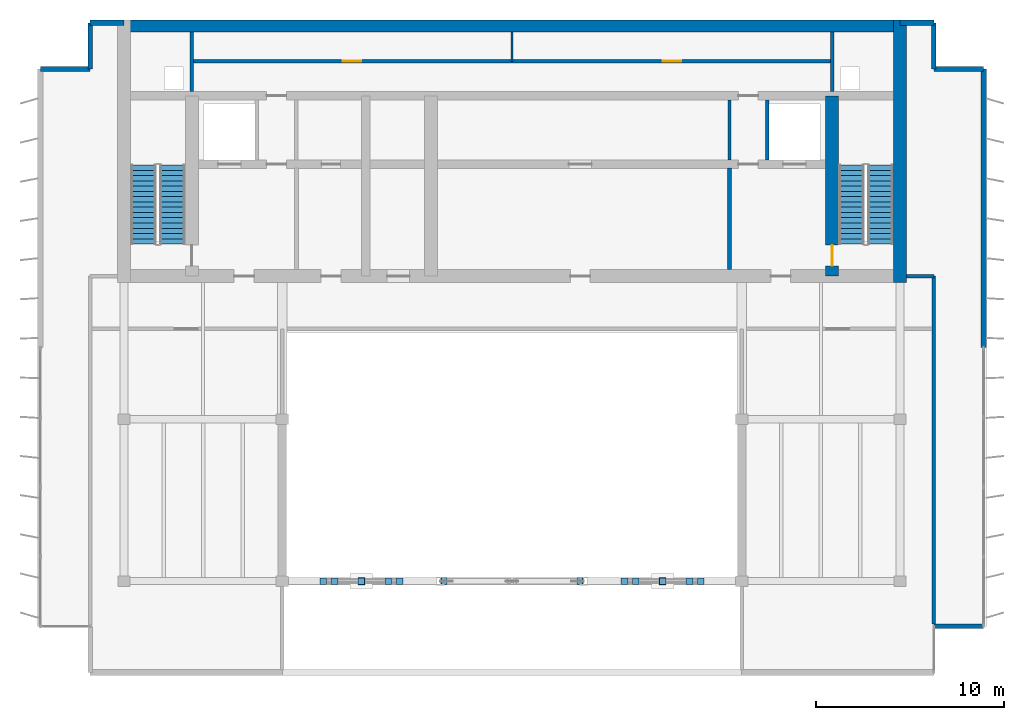
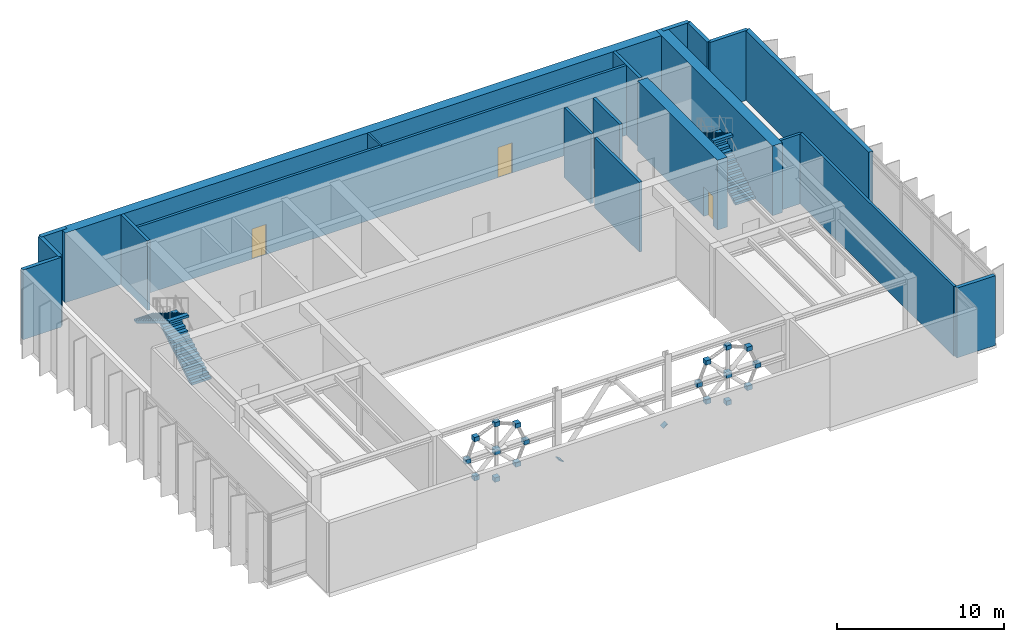
# One storey, part 7 of 10: 20 discrete accessories, 20 walls, 4 stair flights, 3 doors, 3 openings, 2 elements without a shape of their own.
"""IFC4 building model written with IfcOpenShell, lengths in metres."""

from ifc_helpers import new_model, si_unit, direction, frame, frame_2d, origin, origin_2d, place, context, subcontext, project, spatial, polyline, rectangle, outline, extrude, material, layer, layer_set, type_object, element, fill, aggregate, save


model = new_model("IFC4")

# Units and contexts
model_context = context("Model", 3, precision=1e-05, world=origin(), true_north=direction((0.0, 1.0)))
body_context = subcontext(model_context, "Body", "Model", "MODEL_VIEW")
ifc_project = project(units=[si_unit("LENGTHUNIT", "METRE"), si_unit("AREAUNIT", "SQUARE_METRE"), si_unit("VOLUMEUNIT", "CUBIC_METRE"), si_unit("PLANEANGLEUNIT", "RADIAN"), si_unit("MASSUNIT", "GRAM", prefix="KILO")], contexts=[model_context])

# Site, building, storey
site_placement = place(None, origin())
site = spatial("IfcSite", under=ifc_project, at=site_placement, CompositionType="ELEMENT")
building_placement = place(site_placement, origin())
building = spatial("IfcBuilding", under=site, at=building_placement, Name="Caelmar Bay Residences", CompositionType="ELEMENT")
storey_placement = place(building_placement, frame((0.0, 0.0, 284.800048828125)))
storey = spatial("IfcBuildingStorey", under=building, at=storey_placement, Name="L79", CompositionType="ELEMENT", Elevation=284.800048828125)

# Wall
ifc_material_1 = material(Name="Concrete f'c 55 MPa (8,000 psi)", Category="concrete")
ifc_layer_1 = layer(ifc_material_1, 0.699951171875)
ifc_layer_set_1 = layer_set([ifc_layer_1], Name="Concrete f'c 55 MPa (8,000 psi)")
wall_type_1 = type_object("IfcWallType", Name="SW-COR-700", PredefinedType="SHEAR", material=ifc_layer_set_1)
wall_1_placement = place(storey_placement, frame((59.5, 36.64990234375, 0.0), z_axis=(0.0, 0.0, 1.0), x_axis=(0.0, 1.0, 0.0)))
element("IfcWall", 1, at=wall_1_placement, inside=storey, type_object=wall_type_1, Name="L79 Rear Core East Shear Wall", PredefinedType="SHEAR", context=body_context, shape_type="SweptSolid", body=[
    extrude(rectangle(XDim=13.9501953125, YDim=0.699951171875, at=frame_2d((6.97509765625, 0.0))), origin(), (0.0, 0.0, 1.0), 5.099853515625),
])

# Wall, opening, door
wall_2_placement = place(storey_placement, frame((55.89990234375, 37.0, 0.0), z_axis=(0.0, 0.0, 1.0), x_axis=(0.0, 1.0, 0.0)))
wall_2 = element("IfcWall", 2, at=wall_2_placement, inside=storey, type_object=wall_type_1, Name="L79 Core Structural Web Wall ST2W", PredefinedType="SHEAR", context=body_context, shape_type="SweptSolid", body=[
    extrude(rectangle(XDim=9.574951171875, YDim=0.699951171875, at=frame_2d((4.78759765625, 0.0))), origin(), (0.0, 0.0, 1.0), 5.099853515625),
])
opening_1_placement = place(wall_2_placement, frame((0.550048828125, 0.0, 0.0)))
opening_1 = element("IfcOpeningElement", 3, at=opening_1_placement, cuts=wall_2, Name="Opening D-L79-108", PredefinedType="OPENING", context=body_context, shape_type="SweptSolid", body=[
    extrude(rectangle(XDim=1.10009765625, YDim=2.14990234375, at=frame_2d((0.550048828125, 1.074951171875))), frame((0.0, 0.35986328125, 0.0), z_axis=(0.0, -1.0, 0.0), x_axis=(1.0, 0.0, 0.0)), (0.0, 0.0, 1.0), 0.719970703125),
])
ifc_material_2 = material(Name="Fire-rated steel and walnut architectural door assembly", Category="steel")
ifc_layer_2 = layer(ifc_material_2, 0.050048828125)
ifc_layer_set_2 = layer_set([ifc_layer_2], Name="Fire-rated steel and walnut architectural door assembly")
door_type_1 = type_object("IfcDoorType", Name="D-STAIR-1100", OperationType="NOTDEFINED", PredefinedType="DOOR", material=ifc_layer_set_2)
door_1_placement = place(opening_1_placement, origin())
door_1 = element("IfcDoor", 4, at=door_1_placement, inside=storey, type_object=door_type_1, Name="L79 Firefighting Lobby East Door", OperationType="SINGLE_SWING_LEFT", OverallHeight=2.14990234375, OverallWidth=1.10009765625, PredefinedType="DOOR", context=body_context, shape_type="SweptSolid", body=[
    extrude(rectangle(XDim=1.10009765625, YDim=2.14990234375, at=frame_2d((0.550048828125, 1.074951171875))), frame((0.0, 0.02490234375, 0.0), z_axis=(0.0, -1.0, 0.0), x_axis=(1.0, 0.0, 0.0)), (0.0, 0.0, 1.0), 0.050048828125),
])
fill(opening_1, door_1)

# Walls
ifc_layer_3 = layer(ifc_material_1, 0.64990234375)
ifc_layer_set_3 = layer_set([ifc_layer_3], Name="Concrete f'c 55 MPa (8,000 psi)")
wall_type_2 = type_object("IfcWallType", Name="SW-CORN-650", PredefinedType="SHEAR", material=ifc_layer_set_3)
wall_3_placement = place(storey_placement, frame((17.949951171875, 50.27490234375, 0.0), z_axis=(0.0, 0.0, 1.0), x_axis=(1.0, 0.0, 0.0)))
element("IfcWall", 5, at=wall_3_placement, inside=storey, type_object=wall_type_2, Name="L79 Rear Core North Shear Wall", PredefinedType="SHEAR", context=body_context, shape_type="SweptSolid", body=[
    extrude(rectangle(XDim=41.900146484375, YDim=0.64990234375, at=frame_2d((20.9501953125, 0.0))), origin(), (0.0, 0.0, 1.0), 5.099853515625),
])
ifc_material_3 = material(Name="Double-stud acoustic fire-rated gypsum partition 180 mm")
ifc_layer_4 = layer(ifc_material_3, 0.179931640625)
ifc_layer_set_4 = layer_set([ifc_layer_4], Name="Double-stud acoustic fire-rated gypsum partition 180 mm")
wall_type_3 = type_object("IfcWallType", Name="W-COR-200", PredefinedType="PARTITIONING", material=ifc_layer_set_4)
wall_4_placement = place(storey_placement, frame((50.449951171875, 43.169921875, 0.0), z_axis=(0.0, 0.0, 1.0), x_axis=(0.0, 1.0, 0.0)))
element("IfcWall", 6, at=wall_4_placement, inside=storey, type_object=wall_type_3, Name="L79 Partition Wall V010", PredefinedType="PARTITIONING", context=body_context, shape_type="SweptSolid", body=[
    extrude(rectangle(XDim=3.18505859375, YDim=0.179931640625, at=frame_2d((1.592529296875, 0.0))), origin(), (0.0, 0.0, 1.0), 5.099853515625),
])
wall_5_placement = place(storey_placement, frame((61.300048828125, 18.52001953125, 0.0), z_axis=(0.0, 0.0, 1.0), x_axis=(0.0, 1.0, 0.0)))
element("IfcWall", 7, at=wall_5_placement, inside=storey, type_object=wall_type_3, Name="L79 Partition Wall V015", PredefinedType="PARTITIONING", context=body_context, shape_type="SweptSolid", body=[
    extrude(rectangle(XDim=18.47998046875, YDim=0.179931640625, at=frame_2d((9.239990234375, 0.0))), origin(), (0.0, 0.0, 1.0), 5.099853515625),
])
wall_6_placement = place(storey_placement, frame((59.85498046875, 37.0, 0.0), z_axis=(0.0, 0.0, 1.0), x_axis=(1.0, 0.0, 0.0)))
element("IfcWall", 8, at=wall_6_placement, inside=storey, type_object=wall_type_3, Name="L79 Partition Wall H018", PredefinedType="PARTITIONING", context=body_context, shape_type="SweptSolid", body=[
    extrude(rectangle(XDim=1.445068359375, YDim=0.179931640625, at=frame_2d((0.72265625, 0.0))), origin(), (0.0, 0.0, 1.0), 5.099853515625),
])

# Wall, openings, doors
wall_7_placement = place(storey_placement, frame((21.89990234375, 48.39990234375, 0.0), z_axis=(0.0, 0.0, 1.0), x_axis=(1.0, 0.0, 0.0)))
wall_7 = element("IfcWall", 9, at=wall_7_placement, inside=storey, type_object=wall_type_3, Name="L79 Partition Wall H019", PredefinedType="PARTITIONING", context=body_context, shape_type="SweptSolid", body=[
    extrude(rectangle(XDim=34.0, YDim=0.179931640625, at=frame_2d((17.0, 0.0))), origin(), (0.0, 0.0, 1.0), 5.099853515625),
])
opening_2_placement = place(wall_7_placement, frame((8.0, 0.0, 0.0)))
opening_2 = element("IfcOpeningElement", 10, at=opening_2_placement, cuts=wall_7, Name="Opening D-L79-116", PredefinedType="OPENING", context=body_context, shape_type="SweptSolid", body=[
    extrude(rectangle(XDim=1.0, YDim=2.199951171875, at=frame_2d((0.5, 1.10009765625))), frame((0.0, 0.099853515625, 0.0), z_axis=(0.0, -1.0, 0.0), x_axis=(1.0, 0.0, 0.0)), (0.0, 0.0, 1.0), 0.199951171875),
])
opening_3_placement = place(wall_7_placement, frame((25.0, 0.0, 0.0)))
opening_3 = element("IfcOpeningElement", 11, at=opening_3_placement, cuts=wall_7, Name="Opening D-L79-117", PredefinedType="OPENING", context=body_context, shape_type="SweptSolid", body=[
    extrude(rectangle(XDim=1.0, YDim=2.199951171875, at=frame_2d((0.5, 1.10009765625))), frame((0.0, 0.099853515625, 0.0), z_axis=(0.0, -1.0, 0.0), x_axis=(1.0, 0.0, 0.0)), (0.0, 0.0, 1.0), 0.199951171875),
])
ifc_layer_5 = layer(ifc_material_2, 0.050048828125)
ifc_layer_set_5 = layer_set([ifc_layer_5], Name="Fire-rated steel and walnut architectural door assembly")
door_type_2 = type_object("IfcDoorType", Name="D-UNIT-1000", OperationType="NOTDEFINED", PredefinedType="DOOR", material=ifc_layer_set_5)
door_2_placement = place(opening_2_placement, origin())
door_2 = element("IfcDoor", 12, at=door_2_placement, inside=storey, type_object=door_type_2, Name="L79 Building Management Office Door", OperationType="SINGLE_SWING_LEFT", OverallHeight=2.199951171875, OverallWidth=1.0, PredefinedType="DOOR", context=body_context, shape_type="SweptSolid", body=[
    extrude(rectangle(XDim=1.0, YDim=2.199951171875, at=frame_2d((0.5, 1.10009765625))), frame((0.0, 0.02490234375, 0.0), z_axis=(0.0, -1.0, 0.0), x_axis=(1.0, 0.0, 0.0)), (0.0, 0.0, 1.0), 0.050048828125),
])
fill(opening_2, door_2)
door_3_placement = place(opening_3_placement, origin())
door_3 = element("IfcDoor", 13, at=door_3_placement, inside=storey, type_object=door_type_2, Name="L79 Concierge Operations Office Door", OperationType="SINGLE_SWING_RIGHT", OverallHeight=2.199951171875, OverallWidth=1.0, PredefinedType="DOOR", context=body_context, shape_type="SweptSolid", body=[
    extrude(rectangle(XDim=1.0, YDim=2.199951171875, at=frame_2d((0.5, 1.10009765625))), frame((0.0, 0.02490234375, 0.0), z_axis=(0.0, -1.0, 0.0), x_axis=(1.0, 0.0, 0.0)), (0.0, 0.0, 1.0), 0.050048828125),
])
fill(opening_3, door_3)

# Walls
ifc_material_4 = material(Name="Precast concrete f'c 40 MPa (6,000 psi)", Category="concrete")
ifc_layer_6 = layer(ifc_material_4, 0.25)
ifc_layer_set_6 = layer_set([ifc_layer_6], Name="Precast concrete f'c 40 MPa (6,000 psi)")
wall_type_4 = type_object("IfcWallType", Name="W-EXT-250", PredefinedType="ELEMENTEDWALL", material=ifc_layer_set_6)
for number, where, z_axis, x_axis, name in (
    (14, (61.300048828125, 18.39990234375, 0.0), (0.0, 0.0, 1.0), (1.0, 0.0, 0.0), "L79 SE Notch Return Wall"),
    (15, (13.85009765625, 48.0, 0.0), (0.0, 0.0, 1.0), (1.0, 0.0, 0.0), "L79 NNW-H Notch Wall"),
):
    element("IfcWall", number, at=place(storey_placement, frame(where, z_axis=z_axis, x_axis=x_axis)), inside=storey, type_object=wall_type_4, Name=name, PredefinedType="ELEMENTEDWALL", context=body_context, shape_type="SweptSolid", body=[
        extrude(rectangle(XDim=2.64990234375, YDim=0.25, at=frame_2d((1.324951171875, 0.0))), origin(), (0.0, 0.0, 1.0), 5.099853515625),
    ])
for number, where, z_axis, x_axis, name in (
    (16, (16.5, 48.0, 0.0), (0.0, 0.0, 1.0), (0.0, 1.0, 0.0), "L79 NNW-V Notch Wall"),
    (17, (61.300048828125, 50.449951171875, 0.0), (0.0, 0.0, 1.0), (0.0, -1.0, 0.0), "L79 NNE-V Notch Wall"),
):
    element("IfcWall", number, at=place(storey_placement, frame(where, z_axis=z_axis, x_axis=x_axis)), inside=storey, type_object=wall_type_4, Name=name, PredefinedType="ELEMENTEDWALL", context=body_context, shape_type="SweptSolid", body=[
        extrude(rectangle(XDim=2.449951171875, YDim=0.25, at=frame_2d((1.22509765625, 0.0))), origin(), (0.0, 0.0, 1.0), 5.099853515625),
    ])
wall_8_placement = place(storey_placement, frame((61.300048828125, 48.0, 0.0), z_axis=(0.0, 0.0, 1.0), x_axis=(1.0, 0.0, 0.0)))
element("IfcWall", 18, at=wall_8_placement, inside=storey, type_object=wall_type_4, Name="L79 NNE-H Notch Wall", PredefinedType="ELEMENTEDWALL", context=body_context, shape_type="SweptSolid", body=[
    extrude(rectangle(XDim=2.64990234375, YDim=0.25, at=frame_2d((1.324951171875, 0.0))), origin(), (0.0, 0.0, 1.0), 5.099853515625),
])
ifc_layer_7 = layer(ifc_material_4, 0.300048828125)
ifc_layer_set_7 = layer_set([ifc_layer_7], Name="Precast concrete f'c 40 MPa (6,000 psi)")
wall_type_5 = type_object("IfcWallType", Name="W-EXT-300", PredefinedType="STANDARD", material=ifc_layer_set_7)
wall_9_placement = place(storey_placement, frame((63.949951171875, 48.0, 0.0), z_axis=(0.0, 0.0, 1.0), x_axis=(0.0, -1.0, 0.0)))
element("IfcWall", 19, at=wall_9_placement, inside=storey, type_object=wall_type_5, Name="L79 East Rear Exterior Wall", PredefinedType="STANDARD", context=body_context, shape_type="SweptSolid", body=[
    extrude(rectangle(XDim=14.800048828125, YDim=0.300048828125, at=frame_2d((7.39990234375, 0.0))), origin(), (0.0, 0.0, 1.0), 5.099853515625),
])
for number, where, z_axis, x_axis, name in (
    (20, (16.5, 50.449951171875, 0.0), (0.0, 0.0, 1.0), (1.0, 0.0, 0.0), "L79 North-West Wing Exterior Wall"),
    (21, (59.5, 50.449951171875, 0.0), (0.0, 0.0, 1.0), (1.0, 0.0, 0.0), "L79 North-East Wing Exterior Wall"),
):
    element("IfcWall", number, at=place(storey_placement, frame(where, z_axis=z_axis, x_axis=x_axis)), inside=storey, type_object=wall_type_5, Name=name, PredefinedType="STANDARD", context=body_context, shape_type="SweptSolid", body=[
        extrude(rectangle(XDim=1.800048828125, YDim=0.300048828125, at=frame_2d((0.89990234375, 0.0))), origin(), (0.0, 0.0, 1.0), 5.099853515625),
    ])
ifc_material_5 = material(Name="Fire-rated masonry and gypsum shaftliner assembly 200 mm", Category="masonry")
ifc_layer_8 = layer(ifc_material_5, 0.199951171875)
ifc_layer_set_8 = layer_set([ifc_layer_8], Name="Fire-rated masonry and gypsum shaftliner assembly 200 mm")
wall_type_6 = type_object("IfcWallType", Name="W-FSAE-200", PredefinedType="PARTITIONING", material=ifc_layer_set_8)
wall_10_placement = place(storey_placement, frame((21.89990234375, 46.794921875, 0.0), z_axis=(0.0, 0.0, 1.0), x_axis=(0.0, 1.0, 0.0)))
element("IfcWall", 22, at=wall_10_placement, inside=storey, type_object=wall_type_6, Name="L79 Partition Wall V002", PredefinedType="PARTITIONING", context=body_context, shape_type="SweptSolid", body=[
    extrude(rectangle(XDim=3.16015625, YDim=0.199951171875, at=frame_2d((1.580078125, 0.0))), origin(), (0.0, 0.0, 1.0), 5.099853515625),
])
wall_11_placement = place(storey_placement, frame((50.449951171875, 37.344970703125, 0.0), z_axis=(0.0, 0.0, 1.0), x_axis=(0.0, 1.0, 0.0)))
element("IfcWall", 23, at=wall_11_placement, inside=storey, type_object=wall_type_6, Name="L79 Partition Wall V009", PredefinedType="PARTITIONING", context=body_context, shape_type="SweptSolid", body=[
    extrude(rectangle(XDim=5.385009765625, YDim=0.199951171875, at=frame_2d((2.6923828125, 0.0))), origin(), (0.0, 0.0, 1.0), 5.099853515625),
])
wall_12_placement = place(storey_placement, frame((52.449951171875, 43.169921875, 0.0), z_axis=(0.0, 0.0, 1.0), x_axis=(0.0, 1.0, 0.0)))
element("IfcWall", 24, at=wall_12_placement, inside=storey, type_object=wall_type_6, Name="L79 Partition Wall V013", PredefinedType="PARTITIONING", context=body_context, shape_type="SweptSolid", body=[
    extrude(rectangle(XDim=3.18505859375, YDim=0.199951171875, at=frame_2d((1.592529296875, 0.0))), origin(), (0.0, 0.0, 1.0), 5.099853515625),
])
wall_13_placement = place(storey_placement, frame((55.89990234375, 46.794921875, 0.0), z_axis=(0.0, 0.0, 1.0), x_axis=(0.0, 1.0, 0.0)))
element("IfcWall", 25, at=wall_13_placement, inside=storey, type_object=wall_type_6, Name="L79 Partition Wall V014", PredefinedType="PARTITIONING", context=body_context, shape_type="SweptSolid", body=[
    extrude(rectangle(XDim=3.16015625, YDim=0.199951171875, at=frame_2d((1.580078125, 0.0))), origin(), (0.0, 0.0, 1.0), 5.099853515625),
])
ifc_material_6 = material(Name="Acoustic metal-stud gypsum partition 120 mm")
ifc_layer_9 = layer(ifc_material_6, 0.1201171875)
ifc_layer_set_9 = layer_set([ifc_layer_9], Name="Acoustic metal-stud gypsum partition 120 mm")
wall_type_7 = type_object("IfcWallType", Name="W-PRT-120", PredefinedType="PARTITIONING", material=ifc_layer_set_9)
wall_14_placement = place(storey_placement, frame((38.89990234375, 48.39990234375, 0.0), z_axis=(0.0, 0.0, 1.0), x_axis=(0.0, 1.0, 0.0)))
element("IfcWall", 26, at=wall_14_placement, inside=storey, type_object=wall_type_7, Name="L79 Partition Wall V008", PredefinedType="PARTITIONING", context=body_context, shape_type="SweptSolid", body=[
    extrude(rectangle(XDim=1.55517578125, YDim=0.1201171875, at=frame_2d((0.777587890625, 0.0))), origin(), (0.0, 0.0, 1.0), 5.099853515625),
])

# Stair, stair flights
ifc_material_7 = material(Name="Concrete f'c 40 MPa (6,000 psi)", Category="concrete")
stair_type = type_object("IfcStairType", Name="ST-TAL-170", PredefinedType="HALF_TURN_STAIR", material=ifc_material_7)
stair_1_placement = place(storey_placement, origin())
stair_1 = element("IfcStair", 27, at=stair_1_placement, inside=storey, type_object=stair_type, Name="L79 West Smokeproof Exit Stair ST1", PredefinedType="HALF_TURN_STAIR")
stair_flight_type = type_object("IfcStairFlightType", Name="STF-1400", PredefinedType="STRAIGHT", material=ifc_material_4)
stair_flight_1_placement = place(storey_placement, frame((20.875, 38.699951171875, 0.0), z_axis=(0.0, 0.0, 1.0), x_axis=(0.0, 1.0, 0.0)))
stair_flight_1 = element("IfcStairFlight", 28, at=stair_flight_1_placement, type_object=stair_flight_type, Name="ST1 flight 1", NumberOfRisers=16, NumberOfTreads=15, PredefinedType="STRAIGHT", RiserHeight=0.16875, TreadLength=0.28, context=body_context, shape_type="SweptSolid", body=[
    extrude(outline(polyline([(0.0, 0.0), (0.0, 0.168701171875), (0.280029296875, 0.168701171875), (0.280029296875, 0.33740234375), (0.56005859375, 0.33740234375), (0.56005859375, 0.50634765625), (0.840087890625, 0.50634765625), (0.840087890625, 0.675048828125), (1.1201171875, 0.675048828125), (1.1201171875, 0.84375), (1.39990234375, 0.84375), (1.39990234375, 1.012451171875), (1.679931640625, 1.012451171875), (1.679931640625, 1.18115234375), (1.9599609375, 1.18115234375), (1.9599609375, 1.35009765625), (2.239990234375, 1.35009765625), (2.239990234375, 1.518798828125), (2.52001953125, 1.518798828125), (2.52001953125, 1.6875), (2.800048828125, 1.6875), (2.800048828125, 1.856201171875), (3.080078125, 1.856201171875), (3.080078125, 2.02490234375), (3.360107421875, 2.02490234375), (3.360107421875, 2.19384765625), (3.639892578125, 2.19384765625), (3.639892578125, 2.362548828125), (3.919921875, 2.362548828125), (3.919921875, 2.53125), (4.199951171875, 2.53125), (4.199951171875, 2.699951171875), (4.199951171875, 2.356201171875), (0.29052734375, 0.0), (0.0, 0.0)])), frame((0.0, 0.675048828125, 0.0), z_axis=(0.0, -1.0, 0.0), x_axis=(1.0, 0.0, 0.0)), (0.0, 0.0, 1.0), 1.35009765625),
])
stair_flight_2_placement = place(storey_placement, frame((19.324951171875, 42.89990234375, 2.699951171875), z_axis=(0.0, 0.0, 1.0), x_axis=(0.0, -1.0, 0.0)))
stair_flight_2 = element("IfcStairFlight", 29, at=stair_flight_2_placement, type_object=stair_flight_type, Name="ST1 flight 2", NumberOfRisers=16, NumberOfTreads=15, PredefinedType="STRAIGHT", RiserHeight=0.16875, TreadLength=0.28, context=body_context, shape_type="SweptSolid", body=[
    extrude(outline(polyline([(0.0, 0.0), (0.0, 0.168701171875), (0.280029296875, 0.168701171875), (0.280029296875, 0.33740234375), (0.56005859375, 0.33740234375), (0.56005859375, 0.50634765625), (0.840087890625, 0.50634765625), (0.840087890625, 0.675048828125), (1.1201171875, 0.675048828125), (1.1201171875, 0.84375), (1.39990234375, 0.84375), (1.39990234375, 1.012451171875), (1.679931640625, 1.012451171875), (1.679931640625, 1.18115234375), (1.9599609375, 1.18115234375), (1.9599609375, 1.35009765625), (2.239990234375, 1.35009765625), (2.239990234375, 1.518798828125), (2.52001953125, 1.518798828125), (2.52001953125, 1.6875), (2.800048828125, 1.6875), (2.800048828125, 1.856201171875), (3.080078125, 1.856201171875), (3.080078125, 2.02490234375), (3.360107421875, 2.02490234375), (3.360107421875, 2.19384765625), (3.639892578125, 2.19384765625), (3.639892578125, 2.362548828125), (3.919921875, 2.362548828125), (3.919921875, 2.53125), (4.199951171875, 2.53125), (4.199951171875, 2.699951171875), (4.199951171875, 2.356201171875), (0.29052734375, 0.0), (0.0, 0.0)])), frame((0.0, 0.675048828125, 0.0), z_axis=(0.0, -1.0, 0.0), x_axis=(1.0, 0.0, 0.0)), (0.0, 0.0, 1.0), 1.35009765625),
])
aggregate(stair_1, [stair_flight_1, stair_flight_2])

stair_2_placement = place(storey_placement, origin())
stair_2 = element("IfcStair", 30, at=stair_2_placement, inside=storey, type_object=stair_type, Name="L79 East Smokeproof Exit Stair ST2", PredefinedType="HALF_TURN_STAIR")
stair_flight_3_placement = place(storey_placement, frame((58.47509765625, 38.699951171875, 0.0), z_axis=(0.0, 0.0, 1.0), x_axis=(0.0, 1.0, 0.0)))
stair_flight_3 = element("IfcStairFlight", 31, at=stair_flight_3_placement, type_object=stair_flight_type, Name="ST2 flight 1", NumberOfRisers=16, NumberOfTreads=15, PredefinedType="STRAIGHT", RiserHeight=0.16875, TreadLength=0.28, context=body_context, shape_type="SweptSolid", body=[
    extrude(outline(polyline([(0.0, 0.0), (0.0, 0.168701171875), (0.280029296875, 0.168701171875), (0.280029296875, 0.33740234375), (0.56005859375, 0.33740234375), (0.56005859375, 0.50634765625), (0.840087890625, 0.50634765625), (0.840087890625, 0.675048828125), (1.1201171875, 0.675048828125), (1.1201171875, 0.84375), (1.39990234375, 0.84375), (1.39990234375, 1.012451171875), (1.679931640625, 1.012451171875), (1.679931640625, 1.18115234375), (1.9599609375, 1.18115234375), (1.9599609375, 1.35009765625), (2.239990234375, 1.35009765625), (2.239990234375, 1.518798828125), (2.52001953125, 1.518798828125), (2.52001953125, 1.6875), (2.800048828125, 1.6875), (2.800048828125, 1.856201171875), (3.080078125, 1.856201171875), (3.080078125, 2.02490234375), (3.360107421875, 2.02490234375), (3.360107421875, 2.19384765625), (3.639892578125, 2.19384765625), (3.639892578125, 2.362548828125), (3.919921875, 2.362548828125), (3.919921875, 2.53125), (4.199951171875, 2.53125), (4.199951171875, 2.699951171875), (4.199951171875, 2.356201171875), (0.29052734375, 0.0), (0.0, 0.0)])), frame((0.0, 0.675048828125, 0.0), z_axis=(0.0, -1.0, 0.0), x_axis=(1.0, 0.0, 0.0)), (0.0, 0.0, 1.0), 1.35009765625),
])
stair_flight_4_placement = place(storey_placement, frame((56.925048828125, 42.89990234375, 2.699951171875), z_axis=(0.0, 0.0, 1.0), x_axis=(0.0, -1.0, 0.0)))
stair_flight_4 = element("IfcStairFlight", 32, at=stair_flight_4_placement, type_object=stair_flight_type, Name="ST2 flight 2", NumberOfRisers=16, NumberOfTreads=15, PredefinedType="STRAIGHT", RiserHeight=0.16875, TreadLength=0.28, context=body_context, shape_type="SweptSolid", body=[
    extrude(outline(polyline([(0.0, 0.0), (0.0, 0.168701171875), (0.280029296875, 0.168701171875), (0.280029296875, 0.33740234375), (0.56005859375, 0.33740234375), (0.56005859375, 0.50634765625), (0.840087890625, 0.50634765625), (0.840087890625, 0.675048828125), (1.1201171875, 0.675048828125), (1.1201171875, 0.84375), (1.39990234375, 0.84375), (1.39990234375, 1.012451171875), (1.679931640625, 1.012451171875), (1.679931640625, 1.18115234375), (1.9599609375, 1.18115234375), (1.9599609375, 1.35009765625), (2.239990234375, 1.35009765625), (2.239990234375, 1.518798828125), (2.52001953125, 1.518798828125), (2.52001953125, 1.6875), (2.800048828125, 1.6875), (2.800048828125, 1.856201171875), (3.080078125, 1.856201171875), (3.080078125, 2.02490234375), (3.360107421875, 2.02490234375), (3.360107421875, 2.19384765625), (3.639892578125, 2.19384765625), (3.639892578125, 2.362548828125), (3.919921875, 2.362548828125), (3.919921875, 2.53125), (4.199951171875, 2.53125), (4.199951171875, 2.699951171875), (4.199951171875, 2.356201171875), (0.29052734375, 0.0), (0.0, 0.0)])), frame((0.0, 0.675048828125, 0.0), z_axis=(0.0, -1.0, 0.0), x_axis=(1.0, 0.0, 0.0)), (0.0, 0.0, 1.0), 1.35009765625),
])
aggregate(stair_2, [stair_flight_3, stair_flight_4])

# Discrete accessories
ifc_material_8 = material(Name="Steel ASTM A572 Grade 50", Category="steel")
discrete_accessory_type = type_object("IfcDiscreteAccessoryType", Name="ACC-PRTCAP-45", PredefinedType="USERDEFINED", material=ifc_material_8)
discrete_accessory_1_placement = place(storey_placement, frame((35.46044921875, 20.610107421875, 0.0830078125), z_axis=(0.604513017489, 0.0, 0.796595262154), x_axis=(0.0, 1.0, 0.0)))
element("IfcDiscreteAccessory", 33, at=discrete_accessory_1_placement, inside=storey, type_object=discrete_accessory_type, Name="L79 Hollow-Brace Sealed End-Cap Bracket PLT-PRTCAP-L79-A", ObjectType="BRACKET", PredefinedType="USERDEFINED", context=body_context, shape_type="SweptSolid", body=[
    extrude(outline(polyline([(0.0, 0.0), (0.3798828125, 0.0), (0.3798828125, 0.3800353697578665), (0.0, 0.3800353697578665), (0.0, 0.0)])), origin(), (0.0, 0.0, -1.0), 0.044921875),
])
discrete_accessory_2_placement = place(storey_placement, frame((42.339599609375, 20.989990234375, 0.0830078125), z_axis=(-0.604822486845, 0.0, 0.796360320086), x_axis=(0.0, -1.0, 0.0)))
element("IfcDiscreteAccessory", 34, at=discrete_accessory_2_placement, inside=storey, type_object=discrete_accessory_type, Name="L79 Hollow-Brace Sealed End-Cap Bracket PLT-PRTCAP-L79-B", ObjectType="BRACKET", PredefinedType="USERDEFINED", context=body_context, shape_type="SweptSolid", body=[
    extrude(outline(polyline([(0.0, 0.0), (0.3798828125, 0.0), (0.3798828125, 0.37984091716480484), (0.0, 0.37984091716480484), (0.0, 0.0)])), origin(), (0.0, 0.0, -1.0), 0.044921875),
])
discrete_accessory_3_placement = place(storey_placement, frame((30.89990234375, 20.800048828125, 2.180908203125), z_axis=(0.0, 0.0, 1.0), x_axis=(1.0, 0.0, 0.0)))
element("IfcDiscreteAccessory", 35, at=discrete_accessory_3_placement, inside=storey, type_object=discrete_accessory_type, Name="Venturi Rotor 1 Central Hub Node Bracket", ObjectType="BRACKET", PredefinedType="USERDEFINED", context=body_context, shape_type="SweptSolid", body=[
    extrude(rectangle(XDim=0.3798828125, YDim=0.3798828125, at=origin_2d()), origin(), (0.0, 0.0, 1.0), 0.3798828125),
])
for number, where, z_axis, x_axis, name in (
    (36, (32.919921875, 20.800048828125, 2.2109375), (0.0, 0.0, 1.0), (1.0, 0.0, 0.0), "Venturi Rotor 1 Shroud Ring Node Bracket 1"),
    (37, (32.328369140625, 20.800048828125, 3.63916015625), (0.0, 0.0, 1.0), (1.0, 0.0, 0.0), "Venturi Rotor 1 Shroud Ring Node Bracket 2"),
    (38, (30.89990234375, 20.800048828125, 4.23095703125), (0.0, 0.0, 1.0), (1.0, 0.0, 0.0), "Venturi Rotor 1 Shroud Ring Node Bracket 3"),
    (39, (29.4716796875, 20.800048828125, 3.63916015625), (0.0, 0.0, 1.0), (1.0, 0.0, 0.0), "Venturi Rotor 1 Shroud Ring Node Bracket 4"),
    (40, (28.8798828125, 20.800048828125, 2.2109375), (0.0, 0.0, 1.0), (1.0, 0.0, 0.0), "Venturi Rotor 1 Shroud Ring Node Bracket 5"),
    (41, (29.4716796875, 20.800048828125, 0.78271484375), (0.0, 0.0, 1.0), (1.0, 0.0, 0.0), "Venturi Rotor 1 Shroud Ring Node Bracket 6"),
    (42, (30.89990234375, 20.800048828125, 0.19091796875), (0.0, 0.0, 1.0), (1.0, 0.0, 0.0), "Venturi Rotor 1 Shroud Ring Node Bracket 7"),
    (43, (32.328369140625, 20.800048828125, 0.78271484375), (0.0, 0.0, 1.0), (1.0, 0.0, 0.0), "Venturi Rotor 1 Shroud Ring Node Bracket 8"),
):
    element("IfcDiscreteAccessory", number, at=place(storey_placement, frame(where, z_axis=z_axis, x_axis=x_axis)), inside=storey, type_object=discrete_accessory_type, Name=name, ObjectType="BRACKET", PredefinedType="USERDEFINED", context=body_context, shape_type="SweptSolid", body=[
        extrude(rectangle(XDim=0.360107421875, YDim=0.360107421875, at=origin_2d()), origin(), (0.0, 0.0, 1.0), 0.320068359375),
    ])
discrete_accessory_4_placement = place(storey_placement, frame((46.89990234375, 20.800048828125, 2.180908203125), z_axis=(0.0, 0.0, 1.0), x_axis=(1.0, 0.0, 0.0)))
element("IfcDiscreteAccessory", 44, at=discrete_accessory_4_placement, inside=storey, type_object=discrete_accessory_type, Name="Venturi Rotor 2 Central Hub Node Bracket", ObjectType="BRACKET", PredefinedType="USERDEFINED", context=body_context, shape_type="SweptSolid", body=[
    extrude(rectangle(XDim=0.3798828125, YDim=0.3798828125, at=origin_2d()), origin(), (0.0, 0.0, 1.0), 0.3798828125),
])
for number, where, z_axis, x_axis, name in (
    (45, (48.919921875, 20.800048828125, 2.2109375), (0.0, 0.0, 1.0), (1.0, 0.0, 0.0), "Venturi Rotor 2 Shroud Ring Node Bracket 1"),
    (46, (48.328369140625, 20.800048828125, 3.63916015625), (0.0, 0.0, 1.0), (1.0, 0.0, 0.0), "Venturi Rotor 2 Shroud Ring Node Bracket 2"),
    (47, (46.89990234375, 20.800048828125, 4.23095703125), (0.0, 0.0, 1.0), (1.0, 0.0, 0.0), "Venturi Rotor 2 Shroud Ring Node Bracket 3"),
    (48, (45.4716796875, 20.800048828125, 3.63916015625), (0.0, 0.0, 1.0), (1.0, 0.0, 0.0), "Venturi Rotor 2 Shroud Ring Node Bracket 4"),
    (49, (44.8798828125, 20.800048828125, 2.2109375), (0.0, 0.0, 1.0), (1.0, 0.0, 0.0), "Venturi Rotor 2 Shroud Ring Node Bracket 5"),
    (50, (45.4716796875, 20.800048828125, 0.78271484375), (0.0, 0.0, 1.0), (1.0, 0.0, 0.0), "Venturi Rotor 2 Shroud Ring Node Bracket 6"),
    (51, (46.89990234375, 20.800048828125, 0.19091796875), (0.0, 0.0, 1.0), (1.0, 0.0, 0.0), "Venturi Rotor 2 Shroud Ring Node Bracket 7"),
    (52, (48.328369140625, 20.800048828125, 0.78271484375), (0.0, 0.0, 1.0), (1.0, 0.0, 0.0), "Venturi Rotor 2 Shroud Ring Node Bracket 8"),
):
    element("IfcDiscreteAccessory", number, at=place(storey_placement, frame(where, z_axis=z_axis, x_axis=x_axis)), inside=storey, type_object=discrete_accessory_type, Name=name, ObjectType="BRACKET", PredefinedType="USERDEFINED", context=body_context, shape_type="SweptSolid", body=[
        extrude(rectangle(XDim=0.360107421875, YDim=0.360107421875, at=origin_2d()), origin(), (0.0, 0.0, 1.0), 0.320068359375),
    ])

save(model, "model.ifc")
